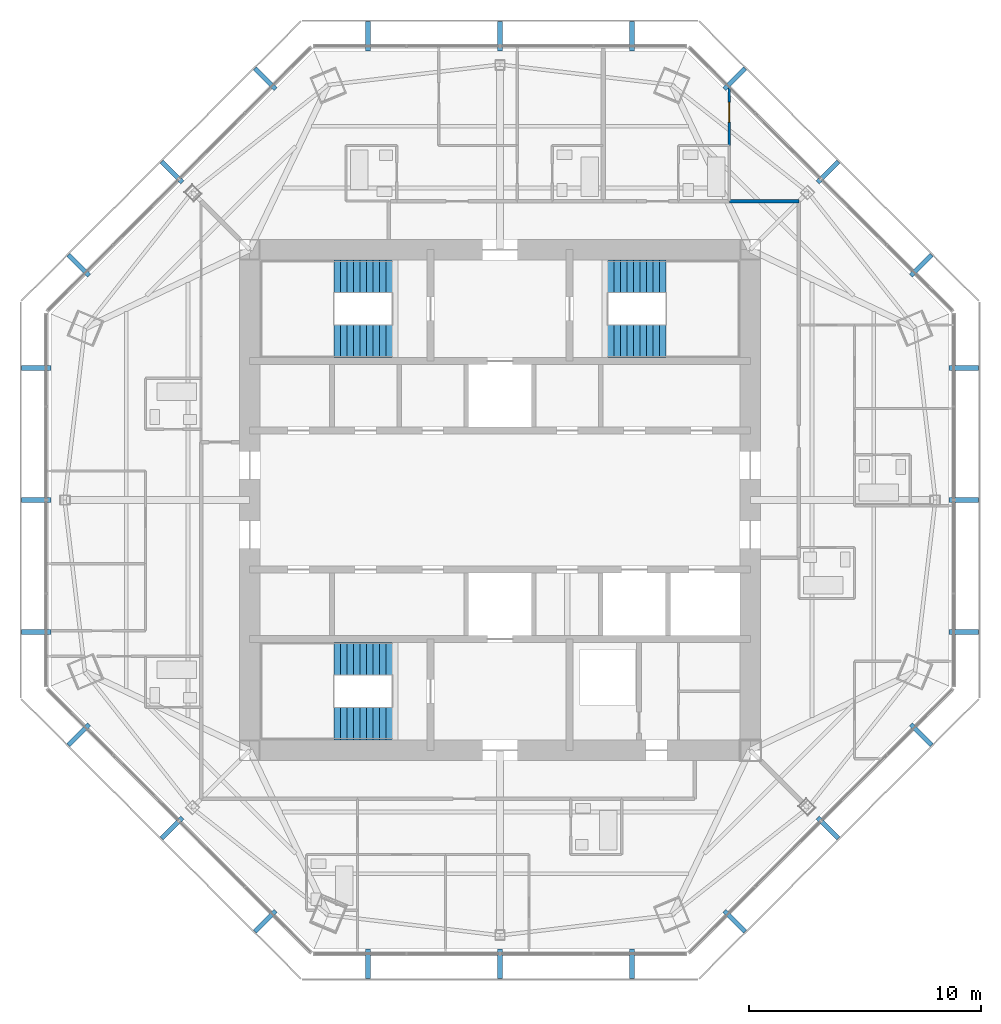
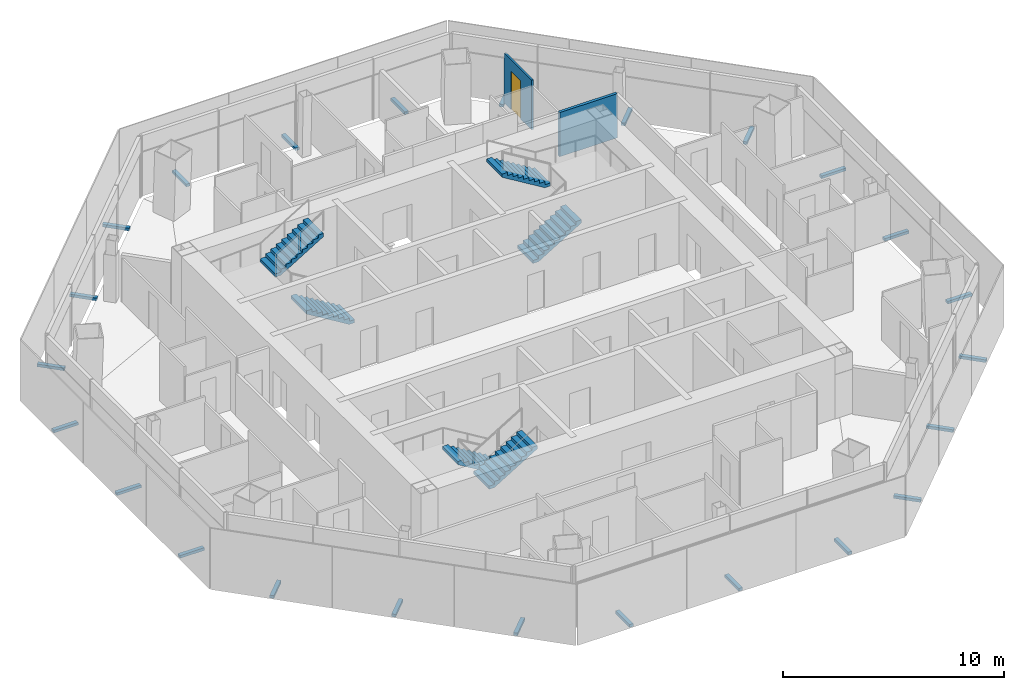
# One storey, part 12 of 15: 24 discrete accessories, 6 stair flights, 2 walls, 1 door, 1 opening, 3 elements without a shape of their own.
"""IFC4 building model written with IfcOpenShell, lengths in metres."""

from ifc_helpers import new_model, si_unit, direction, frame, frame_2d, origin, origin_2d, place, context, subcontext, project, spatial, polyline, rectangle, outline, extrude, source, transform, mapped, material, layer, layer_set, type_object, type_shapes, element, fill, aggregate, save


model = new_model("IFC4")

# Units and contexts
model_context = context("Model", 3, precision=1e-05, world=origin(), true_north=direction((0.0, 1.0)))
body_context = subcontext(model_context, "Body", "Model", "MODEL_VIEW")
ifc_project = project(units=[si_unit("LENGTHUNIT", "METRE"), si_unit("AREAUNIT", "SQUARE_METRE"), si_unit("VOLUMEUNIT", "CUBIC_METRE"), si_unit("PLANEANGLEUNIT", "RADIAN"), si_unit("MASSUNIT", "GRAM", prefix="KILO")], contexts=[model_context])

# Site, building, storey
site_placement = place(None, origin())
site = spatial("IfcSite", under=ifc_project, at=site_placement, CompositionType="ELEMENT")
building_placement = place(site_placement, origin())
building = spatial("IfcBuilding", under=site, at=building_placement, Name="Mashrafa Tower", CompositionType="ELEMENT")
storey_placement = place(building_placement, frame((0.0, 0.0, 298.0)))
storey = spatial("IfcBuildingStorey", under=building, at=storey_placement, Name="L73", CompositionType="ELEMENT", Elevation=298.0)

# Wall
ifc_material_1 = material(Name="Gypsum board on steel studs", Category="steel")
ifc_layer_1 = layer(ifc_material_1, 0.14990234375)
ifc_layer_set_1 = layer_set([ifc_layer_1], Name="Corridor partition 150 1 hr")
wall_type_1 = type_object("IfcWallType", Name="Corridor partition 150 1 hr", PredefinedType="PARTITIONING", material=ifc_layer_set_1)
wall_1_placement = place(storey_placement, frame((12.89990234375, 12.89990234375, 0.0), z_axis=(0.0, 0.0, 1.0), x_axis=(-1.0, 0.0, 0.0)))
element("IfcWall", 1, at=wall_1_placement, inside=storey, type_object=wall_type_1, Name="Corridor wall L73-005", PredefinedType="PARTITIONING", context=body_context, shape_type="SweptSolid", body=[
    extrude(rectangle(XDim=3.0009765625, YDim=0.14990234375, at=frame_2d((1.50048828125, 0.0))), origin(), (0.0, 0.0, 1.0), 2.435546875),
])

# Wall, opening, door
ifc_material_2 = material(Name="Gypsum board on steel studs", Category="steel")
ifc_layer_2 = layer(ifc_material_2, 0.10009765625)
ifc_layer_set_2 = layer_set([ifc_layer_2], Name="Partition 100")
wall_type_2 = type_object("IfcWallType", Name="Partition 100", PredefinedType="PARTITIONING", material=ifc_layer_set_2)
wall_2_placement = place(storey_placement, frame((9.89990234375, 17.775146484375, 0.0), z_axis=(0.0, 0.0, 1.0), x_axis=(0.0, -1.0, 0.0)))
wall_2 = element("IfcWall", 2, at=wall_2_placement, inside=storey, type_object=wall_type_2, Name="Partition wall L73-048", PredefinedType="PARTITIONING", context=body_context, shape_type="SweptSolid", body=[
    extrude(rectangle(XDim=2.47607421875, YDim=0.10009765625, at=frame_2d((1.238037109375, 0.0))), origin(), (0.0, 0.0, 1.0), 2.740478515625),
])
opening_placement = place(wall_2_placement, frame((0.6162109375, 0.0, 0.0)))
opening = element("IfcOpeningElement", 3, at=opening_placement, cuts=wall_2, Name="Opening 73.009", PredefinedType="OPENING", context=body_context, shape_type="SweptSolid", body=[
    extrude(rectangle(XDim=0.85009765625, YDim=2.10009765625, at=frame_2d((0.425048828125, 1.050048828125))), frame((0.0, 0.06005859375, 0.0), z_axis=(0.0, -1.0, 0.0), x_axis=(1.0, 0.0, 0.0)), (0.0, 0.0, 1.0), 0.1201171875),
])
ifc_material_3 = material(Name="Timber door", Category="wood")
door_type = type_object("IfcDoorType", Name="Bedroom door 850 x 2100", OperationType="USERDEFINED", PredefinedType="DOOR", material=ifc_material_3)
door_placement = place(opening_placement, origin())
door = element("IfcDoor", 4, at=door_placement, inside=storey, type_object=door_type, Name="Apartment 7302 Bedroom 1 door", OperationType="SINGLE_SWING_RIGHT", OverallHeight=2.10009765625, OverallWidth=0.85009765625, PredefinedType="DOOR", context=body_context, shape_type="SweptSolid", body=[
    extrude(rectangle(XDim=0.85009765625, YDim=2.10009765625, at=frame_2d((0.425048828125, 1.050048828125))), frame((0.0, 0.02490234375, 0.0), z_axis=(0.0, -1.0, 0.0), x_axis=(1.0, 0.0, 0.0)), (0.0, 0.0, 1.0), 0.050048828125),
])
fill(opening, door)

# Stair, stair flights
ifc_material_4 = material(Name="Exit stair 1400")
stair_type = type_object("IfcStairType", Name="Exit stair 1400", PredefinedType="HALF_TURN_STAIR", material=ifc_material_4)
stair_1_placement = place(storey_placement, origin())
stair_1 = element("IfcStair", 5, at=stair_1_placement, inside=storey, type_object=stair_type, Name="Stair S1 L73", PredefinedType="HALF_TURN_STAIR")
ifc_material_5 = material(Name="Concrete C32/40", Category="concrete")
stair_flight_type = type_object("IfcStairFlightType", Name="Stair flight 1400", PredefinedType="STRAIGHT", material=ifc_material_5)
stair_flight_1_placement = place(storey_placement, frame((-4.64990234375, 6.85009765625, 0.0), z_axis=(0.0, 0.0, 1.0), x_axis=(-1.0, 0.0, 0.0)))
stair_flight_1 = element("IfcStairFlight", 6, at=stair_flight_1_placement, type_object=stair_flight_type, Name="S1 flight 1", NumberOfRisers=10, NumberOfTreads=9, PredefinedType="STRAIGHT", RiserHeight=0.17, TreadLength=0.28, context=body_context, shape_type="SweptSolid", body=[
    extrude(outline(polyline([(0.0, 0.0), (0.0, 0.169921875), (0.280029296875, 0.169921875), (0.280029296875, 0.340087890625), (0.56005859375, 0.340087890625), (0.56005859375, 0.510009765625), (0.840087890625, 0.510009765625), (0.840087890625, 0.679931640625), (1.1201171875, 0.679931640625), (1.1201171875, 0.85009765625), (1.39990234375, 0.85009765625), (1.39990234375, 1.02001953125), (1.679931640625, 1.02001953125), (1.679931640625, 1.18994140625), (1.9599609375, 1.18994140625), (1.9599609375, 1.360107421875), (2.239990234375, 1.360107421875), (2.239990234375, 1.530029296875), (2.52001953125, 1.530029296875), (2.52001953125, 1.699951171875), (2.52001953125, 1.354736328125), (0.288818359375, 0.0), (0.0, 0.0)])), frame((0.0, 0.699951171875, 0.0), z_axis=(0.0, -1.0, 0.0), x_axis=(1.0, 0.0, 0.0)), (0.0, 0.0, 1.0), 1.39990234375),
])
stair_flight_2_placement = place(storey_placement, frame((-7.169921875, 9.64990234375, 1.699951171875), z_axis=(0.0, 0.0, 1.0), x_axis=(1.0, 0.0, 0.0)))
stair_flight_2 = element("IfcStairFlight", 7, at=stair_flight_2_placement, type_object=stair_flight_type, Name="S1 flight 2", NumberOfRisers=10, NumberOfTreads=9, PredefinedType="STRAIGHT", RiserHeight=0.17, TreadLength=0.28, context=body_context, shape_type="SweptSolid", body=[
    extrude(outline(polyline([(0.0, 0.0), (0.0, 0.169921875), (0.280029296875, 0.169921875), (0.280029296875, 0.340087890625), (0.56005859375, 0.340087890625), (0.56005859375, 0.510009765625), (0.840087890625, 0.510009765625), (0.840087890625, 0.679931640625), (1.1201171875, 0.679931640625), (1.1201171875, 0.85009765625), (1.39990234375, 0.85009765625), (1.39990234375, 1.02001953125), (1.679931640625, 1.02001953125), (1.679931640625, 1.18994140625), (1.9599609375, 1.18994140625), (1.9599609375, 1.360107421875), (2.239990234375, 1.360107421875), (2.239990234375, 1.530029296875), (2.52001953125, 1.530029296875), (2.52001953125, 1.699951171875), (2.52001953125, 1.354736328125), (0.288818359375, 0.0), (0.0, 0.0)])), frame((0.0, 0.699951171875, 0.0), z_axis=(0.0, -1.0, 0.0), x_axis=(1.0, 0.0, 0.0)), (0.0, 0.0, 1.0), 1.39990234375),
])
aggregate(stair_1, [stair_flight_1, stair_flight_2])

stair_2_placement = place(storey_placement, origin())
stair_2 = element("IfcStair", 8, at=stair_2_placement, inside=storey, type_object=stair_type, Name="Stair S2 L73", PredefinedType="HALF_TURN_STAIR")
stair_flight_3_placement = place(storey_placement, frame((4.64990234375, 6.85009765625, 0.0), z_axis=(0.0, 0.0, 1.0), x_axis=(1.0, 0.0, 0.0)))
stair_flight_3 = element("IfcStairFlight", 9, at=stair_flight_3_placement, type_object=stair_flight_type, Name="S2 flight 1", NumberOfRisers=10, NumberOfTreads=9, PredefinedType="STRAIGHT", RiserHeight=0.17, TreadLength=0.28, context=body_context, shape_type="SweptSolid", body=[
    extrude(outline(polyline([(0.0, 0.0), (0.0, 0.169921875), (0.280029296875, 0.169921875), (0.280029296875, 0.340087890625), (0.56005859375, 0.340087890625), (0.56005859375, 0.510009765625), (0.840087890625, 0.510009765625), (0.840087890625, 0.679931640625), (1.1201171875, 0.679931640625), (1.1201171875, 0.85009765625), (1.39990234375, 0.85009765625), (1.39990234375, 1.02001953125), (1.679931640625, 1.02001953125), (1.679931640625, 1.18994140625), (1.9599609375, 1.18994140625), (1.9599609375, 1.360107421875), (2.239990234375, 1.360107421875), (2.239990234375, 1.530029296875), (2.52001953125, 1.530029296875), (2.52001953125, 1.699951171875), (2.52001953125, 1.354736328125), (0.288818359375, 0.0), (0.0, 0.0)])), frame((0.0, 0.699951171875, 0.0), z_axis=(0.0, -1.0, 0.0), x_axis=(1.0, 0.0, 0.0)), (0.0, 0.0, 1.0), 1.39990234375),
])
stair_flight_4_placement = place(storey_placement, frame((7.169921875, 9.64990234375, 1.699951171875), z_axis=(0.0, 0.0, 1.0), x_axis=(-1.0, 0.0, 0.0)))
stair_flight_4 = element("IfcStairFlight", 10, at=stair_flight_4_placement, type_object=stair_flight_type, Name="S2 flight 2", NumberOfRisers=10, NumberOfTreads=9, PredefinedType="STRAIGHT", RiserHeight=0.17, TreadLength=0.28, context=body_context, shape_type="SweptSolid", body=[
    extrude(outline(polyline([(0.0, 0.0), (0.0, 0.169921875), (0.280029296875, 0.169921875), (0.280029296875, 0.340087890625), (0.56005859375, 0.340087890625), (0.56005859375, 0.510009765625), (0.840087890625, 0.510009765625), (0.840087890625, 0.679931640625), (1.1201171875, 0.679931640625), (1.1201171875, 0.85009765625), (1.39990234375, 0.85009765625), (1.39990234375, 1.02001953125), (1.679931640625, 1.02001953125), (1.679931640625, 1.18994140625), (1.9599609375, 1.18994140625), (1.9599609375, 1.360107421875), (2.239990234375, 1.360107421875), (2.239990234375, 1.530029296875), (2.52001953125, 1.530029296875), (2.52001953125, 1.699951171875), (2.52001953125, 1.354736328125), (0.288818359375, 0.0), (0.0, 0.0)])), frame((0.0, 0.699951171875, 0.0), z_axis=(0.0, -1.0, 0.0), x_axis=(1.0, 0.0, 0.0)), (0.0, 0.0, 1.0), 1.39990234375),
])
aggregate(stair_2, [stair_flight_3, stair_flight_4])

stair_3_placement = place(storey_placement, origin())
stair_3 = element("IfcStair", 11, at=stair_3_placement, inside=storey, type_object=stair_type, Name="Stair S3 L73", PredefinedType="HALF_TURN_STAIR")
stair_flight_5_placement = place(storey_placement, frame((-4.64990234375, -6.85009765625, 0.0), z_axis=(0.0, 0.0, 1.0), x_axis=(-1.0, 0.0, 0.0)))
stair_flight_5 = element("IfcStairFlight", 12, at=stair_flight_5_placement, type_object=stair_flight_type, Name="S3 flight 1", NumberOfRisers=10, NumberOfTreads=9, PredefinedType="STRAIGHT", RiserHeight=0.17, TreadLength=0.28, context=body_context, shape_type="SweptSolid", body=[
    extrude(outline(polyline([(0.0, 0.0), (0.0, 0.169921875), (0.280029296875, 0.169921875), (0.280029296875, 0.340087890625), (0.56005859375, 0.340087890625), (0.56005859375, 0.510009765625), (0.840087890625, 0.510009765625), (0.840087890625, 0.679931640625), (1.1201171875, 0.679931640625), (1.1201171875, 0.85009765625), (1.39990234375, 0.85009765625), (1.39990234375, 1.02001953125), (1.679931640625, 1.02001953125), (1.679931640625, 1.18994140625), (1.9599609375, 1.18994140625), (1.9599609375, 1.360107421875), (2.239990234375, 1.360107421875), (2.239990234375, 1.530029296875), (2.52001953125, 1.530029296875), (2.52001953125, 1.699951171875), (2.52001953125, 1.354736328125), (0.288818359375, 0.0), (0.0, 0.0)])), frame((0.0, 0.699951171875, 0.0), z_axis=(0.0, -1.0, 0.0), x_axis=(1.0, 0.0, 0.0)), (0.0, 0.0, 1.0), 1.39990234375),
])
stair_flight_6_placement = place(storey_placement, frame((-7.169921875, -9.64990234375, 1.699951171875), z_axis=(0.0, 0.0, 1.0), x_axis=(1.0, 0.0, 0.0)))
stair_flight_6 = element("IfcStairFlight", 13, at=stair_flight_6_placement, type_object=stair_flight_type, Name="S3 flight 2", NumberOfRisers=10, NumberOfTreads=9, PredefinedType="STRAIGHT", RiserHeight=0.17, TreadLength=0.28, context=body_context, shape_type="SweptSolid", body=[
    extrude(outline(polyline([(0.0, 0.0), (0.0, 0.169921875), (0.280029296875, 0.169921875), (0.280029296875, 0.340087890625), (0.56005859375, 0.340087890625), (0.56005859375, 0.510009765625), (0.840087890625, 0.510009765625), (0.840087890625, 0.679931640625), (1.1201171875, 0.679931640625), (1.1201171875, 0.85009765625), (1.39990234375, 0.85009765625), (1.39990234375, 1.02001953125), (1.679931640625, 1.02001953125), (1.679931640625, 1.18994140625), (1.9599609375, 1.18994140625), (1.9599609375, 1.360107421875), (2.239990234375, 1.360107421875), (2.239990234375, 1.530029296875), (2.52001953125, 1.530029296875), (2.52001953125, 1.699951171875), (2.52001953125, 1.354736328125), (0.288818359375, 0.0), (0.0, 0.0)])), frame((0.0, 0.699951171875, 0.0), z_axis=(0.0, -1.0, 0.0), x_axis=(1.0, 0.0, 0.0)), (0.0, 0.0, 1.0), 1.39990234375),
])
aggregate(stair_3, [stair_flight_5, stair_flight_6])

# Discrete accessories
ifc_material_6 = material(Name="Stainless steel screen bracket", Category="steel")
discrete_accessory_type = type_object("IfcDiscreteAccessoryType", Name="Screen support bracket 200 x 150", PredefinedType="BRACKET", material=ifc_material_6)
shared_shape = source(origin(), body_context, "Body", "SweptSolid", [
    extrude(rectangle(XDim=0.199951171875, YDim=1.27001953125, at=origin_2d()), origin(), (0.0, 0.0, 1.0), 0.14990234375),
])
type_shapes(discrete_accessory_type, [shared_shape])
for number, where, z_axis, x_axis, name in (
    (14, (20.019775390625, -5.697021484375, -0.14990234375), (0.0, 0.0, 1.0), (0.0, 1.0, 0.0), "Screen support bracket L73 east 1"),
    (15, (20.019775390625, 0.0, -0.14990234375), (0.0, 0.0, 1.0), (0.0, 1.0, 0.0), "Screen support bracket L73 east 2"),
    (16, (20.019775390625, 5.697021484375, -0.14990234375), (0.0, 0.0, 1.0), (0.0, 1.0, 0.0), "Screen support bracket L73 east 3"),
    (17, (18.1845703125, 10.127685546875, -0.14990234375), (0.0, 0.0, 1.0), (-0.707106781187, 0.707106781187, 0.0), "Screen support bracket L73 north-east 1"),
    (18, (14.156005859375, 14.156005859375, -0.14990234375), (0.0, 0.0, 1.0), (-0.707106781187, 0.707106781187, 0.0), "Screen support bracket L73 north-east 2"),
    (19, (10.127685546875, 18.1845703125, -0.14990234375), (0.0, 0.0, 1.0), (-0.707106781187, 0.707106781187, 0.0), "Screen support bracket L73 north-east 3"),
    (20, (5.697021484375, 20.019775390625, -0.14990234375), (0.0, 0.0, 1.0), (-1.0, 0.0, 0.0), "Screen support bracket L73 north 1"),
    (21, (0.0, 20.019775390625, -0.14990234375), (0.0, 0.0, 1.0), (-1.0, 0.0, 0.0), "Screen support bracket L73 north 2"),
    (22, (-5.697021484375, 20.019775390625, -0.14990234375), (0.0, 0.0, 1.0), (-1.0, 0.0, 0.0), "Screen support bracket L73 north 3"),
    (23, (-10.127685546875, 18.1845703125, -0.14990234375), (0.0, 0.0, 1.0), (-0.707106781187, -0.707106781187, 0.0), "Screen support bracket L73 north-west 1"),
    (24, (-14.156005859375, 14.156005859375, -0.14990234375), (0.0, 0.0, 1.0), (-0.707106781187, -0.707106781187, 0.0), "Screen support bracket L73 north-west 2"),
    (25, (-18.1845703125, 10.127685546875, -0.14990234375), (0.0, 0.0, 1.0), (-0.707106781187, -0.707106781187, 0.0), "Screen support bracket L73 north-west 3"),
    (26, (-20.019775390625, 5.697021484375, -0.14990234375), (0.0, 0.0, 1.0), (0.0, -1.0, 0.0), "Screen support bracket L73 west 1"),
    (27, (-20.019775390625, 0.0, -0.14990234375), (0.0, 0.0, 1.0), (0.0, -1.0, 0.0), "Screen support bracket L73 west 2"),
    (28, (-20.019775390625, -5.697021484375, -0.14990234375), (0.0, 0.0, 1.0), (0.0, -1.0, 0.0), "Screen support bracket L73 west 3"),
    (29, (-18.1845703125, -10.127685546875, -0.14990234375), (0.0, 0.0, 1.0), (0.707106781187, -0.707106781187, 0.0), "Screen support bracket L73 south-west 1"),
    (30, (-14.156005859375, -14.156005859375, -0.14990234375), (0.0, 0.0, 1.0), (0.707106781187, -0.707106781187, 0.0), "Screen support bracket L73 south-west 2"),
    (31, (-10.127685546875, -18.1845703125, -0.14990234375), (0.0, 0.0, 1.0), (0.707106781187, -0.707106781187, 0.0), "Screen support bracket L73 south-west 3"),
    (32, (-5.697021484375, -20.019775390625, -0.14990234375), (0.0, 0.0, 1.0), (1.0, 0.0, 0.0), "Screen support bracket L73 south 1"),
    (33, (0.0, -20.019775390625, -0.14990234375), (0.0, 0.0, 1.0), (1.0, 0.0, 0.0), "Screen support bracket L73 south 2"),
    (34, (5.697021484375, -20.019775390625, -0.14990234375), (0.0, 0.0, 1.0), (1.0, 0.0, 0.0), "Screen support bracket L73 south 3"),
    (35, (10.127685546875, -18.1845703125, -0.14990234375), (0.0, 0.0, 1.0), (0.707106781187, 0.707106781187, 0.0), "Screen support bracket L73 south-east 1"),
    (36, (14.156005859375, -14.156005859375, -0.14990234375), (0.0, 0.0, 1.0), (0.707106781187, 0.707106781187, 0.0), "Screen support bracket L73 south-east 2"),
    (37, (18.1845703125, -10.127685546875, -0.14990234375), (0.0, 0.0, 1.0), (0.707106781187, 0.707106781187, 0.0), "Screen support bracket L73 south-east 3"),
):
    element("IfcDiscreteAccessory", number, at=place(storey_placement, frame(where, z_axis=z_axis, x_axis=x_axis)), inside=storey, type_object=discrete_accessory_type, Name=name, PredefinedType="BRACKET", context=body_context, shape_type="MappedRepresentation", body=[
        mapped(shared_shape, transform((0.0, 0.0, 0.0))),
    ])

save(model, "model.ifc")
